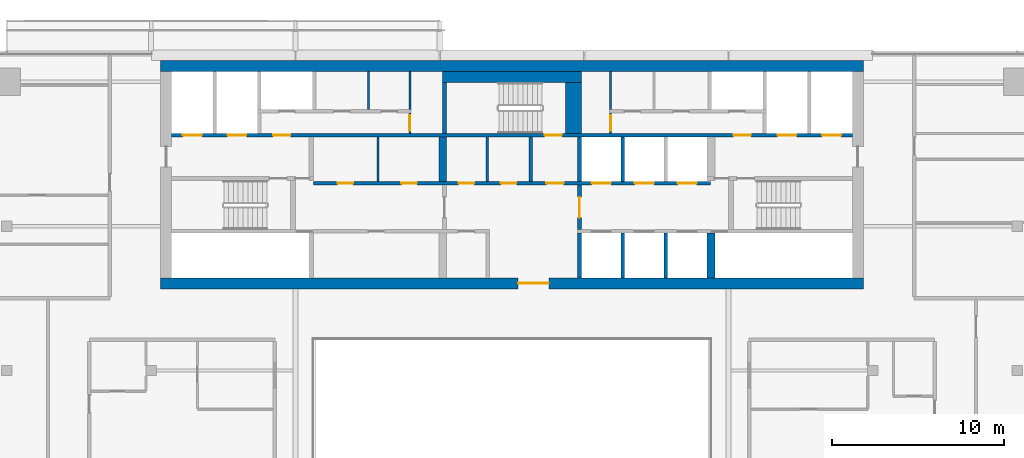
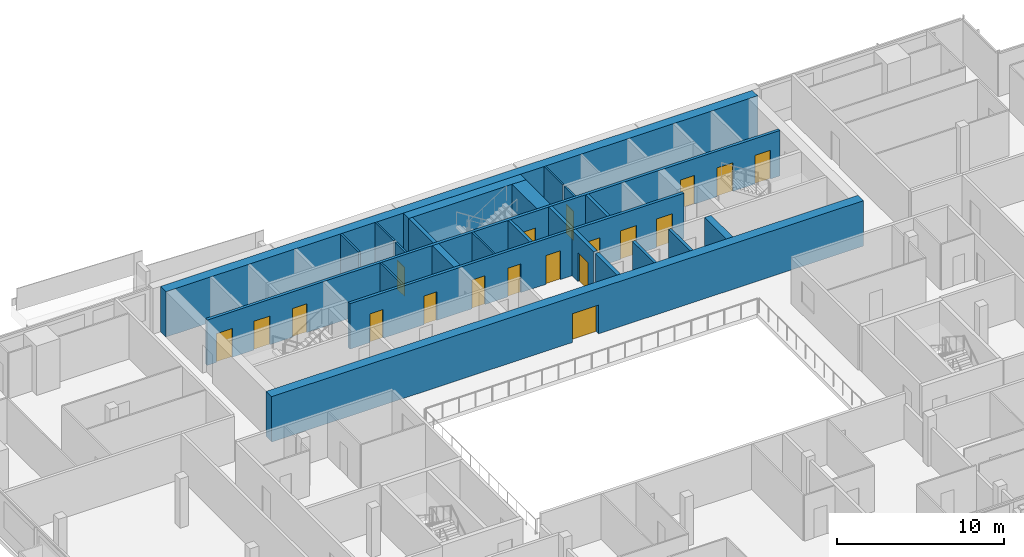
# One storey, part 21 of 27: 23 walls, 19 doors, 19 openings.
"""IFC4 building model written with IfcOpenShell, lengths in metres."""

from ifc_helpers import new_model, si_unit, direction, frame, frame_2d, origin, place, context, subcontext, project, spatial, rectangle, extrude, material, layer, layer_set, type_object, element, fill, save


model = new_model("IFC4")

# Units and contexts
model_context = context("Model", 3, precision=1e-05, world=origin(), true_north=direction((0.0, 1.0)))
body_context = subcontext(model_context, "Body", "Model", "MODEL_VIEW")
ifc_project = project(units=[si_unit("LENGTHUNIT", "METRE"), si_unit("AREAUNIT", "SQUARE_METRE"), si_unit("VOLUMEUNIT", "CUBIC_METRE"), si_unit("PLANEANGLEUNIT", "RADIAN"), si_unit("MASSUNIT", "GRAM", prefix="KILO")], contexts=[model_context])

# Site, building, storey
site_placement = place(None, origin())
site = spatial("IfcSite", under=ifc_project, at=site_placement, CompositionType="ELEMENT")
building_placement = place(site_placement, origin())
building = spatial("IfcBuilding", under=site, at=building_placement, Name="Saffron Gate Tower", CompositionType="ELEMENT")
storey_placement = place(building_placement, frame((0.0, 0.0, 212.699951171875)))
storey = spatial("IfcBuildingStorey", under=building, at=storey_placement, Name="L51", CompositionType="ELEMENT", Elevation=212.699951171875)

# Walls
ifc_material_1 = material(Name="Gypsum board partition on steel studs", Category="steel")
ifc_layer_1 = layer(ifc_material_1, 0.199951171875)
ifc_layer_set_1 = layer_set([ifc_layer_1], Name="CW10 Core partition 200")
wall_type_1 = type_object("IfcWallType", Name="CW10 Core partition 200", PredefinedType="PARTITIONING", material=ifc_layer_set_1)
wall_1_placement = place(storey_placement, frame((88.699951171875, 68.0, 0.0), z_axis=(0.0, 0.0, 1.0), x_axis=(0.0, 1.0, 0.0)))
element("IfcWall", 1, at=wall_1_placement, inside=storey, type_object=wall_type_1, Name="Wall CW10-L51-22", PredefinedType="PARTITIONING", context=body_context, shape_type="SweptSolid", body=[
    extrude(rectangle(XDim=2.60009765625, YDim=0.199951171875, at=frame_2d((1.300048828125, 0.0))), origin(), (0.0, 0.0, 1.0), 3.320068359375),
])
ifc_material_2 = material(Name="Concrete C60", Category="concrete")
ifc_layer_2 = layer(ifc_material_2, 0.25)
ifc_layer_set_2 = layer_set([ifc_layer_2], Name="CW14 RC core wall 250 C60")
wall_type_2 = type_object("IfcWallType", Name="CW14 RC core wall 250 C60", PredefinedType="SOLIDWALL", material=ifc_layer_set_2)
wall_2_placement = place(storey_placement, frame((91.52490234375, 62.39990234375, 0.0), z_axis=(0.0, 0.0, 1.0), x_axis=(0.0, 1.0, 0.0)))
element("IfcWall", 2, at=wall_2_placement, inside=storey, type_object=wall_type_2, Name="Wall CW14-L51-8", PredefinedType="SOLIDWALL", context=body_context, shape_type="SweptSolid", body=[
    extrude(rectangle(XDim=2.60009765625, YDim=0.25, at=frame_2d((1.300048828125, 0.0))), origin(), (0.0, 0.0, 1.0), 3.320068359375),
])

# Wall, opening, door
wall_3_placement = place(storey_placement, frame((91.52490234375, 65.199951171875, 0.0), z_axis=(0.0, 0.0, 1.0), x_axis=(0.0, 1.0, 0.0)))
wall_3 = element("IfcWall", 3, at=wall_3_placement, inside=storey, type_object=wall_type_2, Name="Wall CW14-L51-16", PredefinedType="SOLIDWALL", context=body_context, shape_type="SweptSolid", body=[
    extrude(rectangle(XDim=2.60009765625, YDim=0.25, at=frame_2d((1.300048828125, 0.0))), origin(), (0.0, 0.0, 1.0), 3.320068359375),
])
opening_1_placement = place(wall_3_placement, frame((0.699951171875, 0.0, 0.0)))
opening_1 = element("IfcOpeningElement", 4, at=opening_1_placement, cuts=wall_3, Name="Opening CR-01", PredefinedType="OPENING", context=body_context, shape_type="SweptSolid", body=[
    extrude(rectangle(XDim=1.199951171875, YDim=2.10009765625, at=frame_2d((0.60009765625, 1.050048828125))), frame((0.0, 0.135009765625, 0.0), z_axis=(0.0, -1.0, 0.0), x_axis=(1.0, 0.0, 0.0)), (0.0, 0.0, 1.0), 0.27001953125),
])
ifc_material_3 = material(Name="Steel fire door set", Category="steel")
door_type_1 = type_object("IfcDoorType", Name="CD3 Lobby door 1200x2100 EI 120", OperationType="NOTDEFINED", PredefinedType="DOOR", material=ifc_material_3)
door_1_placement = place(opening_1_placement, origin())
door_1 = element("IfcDoor", 5, at=door_1_placement, inside=storey, type_object=door_type_1, Name="DOOR CR-01", OperationType="SINGLE_SWING_RIGHT", OverallHeight=2.10009765625, OverallWidth=1.199951171875, PredefinedType="DOOR", context=body_context, shape_type="SweptSolid", body=[
    extrude(rectangle(XDim=1.199951171875, YDim=2.10009765625, at=frame_2d((0.60009765625, 1.050048828125))), frame((0.0, 0.02490234375, 0.0), z_axis=(0.0, -1.0, 0.0), x_axis=(1.0, 0.0, 0.0)), (0.0, 0.0, 1.0), 0.050048828125),
])
fill(opening_1, door_1)

# Walls
wall_4_placement = place(storey_placement, frame((91.52490234375, 68.0, 0.0), z_axis=(0.0, 0.0, 1.0), x_axis=(0.0, 1.0, 0.0)))
element("IfcWall", 6, at=wall_4_placement, inside=storey, type_object=wall_type_2, Name="Wall CW14-L51-23", PredefinedType="SOLIDWALL", context=body_context, shape_type="SweptSolid", body=[
    extrude(rectangle(XDim=2.60009765625, YDim=0.25, at=frame_2d((1.300048828125, 0.0))), origin(), (0.0, 0.0, 1.0), 3.320068359375),
])
wall_5_placement = place(storey_placement, frame((83.675048828125, 70.800048828125, 0.0), z_axis=(0.0, 0.0, 1.0), x_axis=(0.0, 1.0, 0.0)))
element("IfcWall", 7, at=wall_5_placement, inside=storey, type_object=wall_type_2, Name="Wall CW14-L51-35", PredefinedType="SOLIDWALL", context=body_context, shape_type="SweptSolid", body=[
    extrude(rectangle(XDim=2.949951171875, YDim=0.25, at=frame_2d((1.47509765625, 0.0))), origin(), (0.0, 0.0, 1.0), 3.320068359375),
])
ifc_layer_3 = layer(ifc_material_2, 0.199951171875)
ifc_layer_set_3 = layer_set([ifc_layer_3], Name="CW15 RC core wall 200 C60")
wall_type_3 = type_object("IfcWallType", Name="CW15 RC core wall 200 C60", PredefinedType="SOLIDWALL", material=ifc_layer_set_3)
for number, where, z_axis, x_axis, name in (
    (8, (94.050048828125, 62.39990234375, 0.0), (0.0, 0.0, 1.0), (0.0, 1.0, 0.0), "Wall CW15-L51-9"),
    (9, (96.550048828125, 62.39990234375, 0.0), (0.0, 0.0, 1.0), (0.0, 1.0, 0.0), "Wall CW15-L51-10"),
):
    element("IfcWall", number, at=place(storey_placement, frame(where, z_axis=z_axis, x_axis=x_axis)), inside=storey, type_object=wall_type_3, Name=name, PredefinedType="SOLIDWALL", context=body_context, shape_type="SweptSolid", body=[
        extrude(rectangle(XDim=2.60009765625, YDim=0.199951171875, at=frame_2d((1.300048828125, 0.0))), origin(), (0.0, 0.0, 1.0), 3.320068359375),
    ])

# Wall, openings, doors
wall_6_placement = place(storey_placement, frame((76.050048828125, 67.89990234375, 0.0), z_axis=(0.0, 0.0, 1.0), x_axis=(1.0, 0.0, 0.0)))
wall_6 = element("IfcWall", 10, at=wall_6_placement, inside=storey, type_object=wall_type_3, Name="Wall CW15-L51-18", PredefinedType="SOLIDWALL", context=body_context, shape_type="SweptSolid", body=[
    extrude(rectangle(XDim=23.099853515625, YDim=0.199951171875, at=frame_2d((11.5498046875, 0.0))), origin(), (0.0, 0.0, 1.0), 3.320068359375),
])
opening_2_placement = place(wall_6_placement, frame((1.39990234375, 0.0, 0.0)))
opening_2 = element("IfcOpeningElement", 11, at=opening_2_placement, cuts=wall_6, Name="Opening CR-61", PredefinedType="OPENING", context=body_context, shape_type="SweptSolid", body=[
    extrude(rectangle(XDim=0.89990234375, YDim=2.10009765625, at=frame_2d((0.449951171875, 1.050048828125))), frame((0.0, 0.10986328125, 0.0), z_axis=(0.0, -1.0, 0.0), x_axis=(1.0, 0.0, 0.0)), (0.0, 0.0, 1.0), 0.219970703125),
])
opening_3_placement = place(wall_6_placement, frame((5.110107421875, 0.0, 0.0)))
opening_3 = element("IfcOpeningElement", 12, at=opening_3_placement, cuts=wall_6, Name="Opening CR-62", PredefinedType="OPENING", context=body_context, shape_type="SweptSolid", body=[
    extrude(rectangle(XDim=0.89990234375, YDim=2.10009765625, at=frame_2d((0.449951171875, 1.050048828125))), frame((0.0, 0.10986328125, 0.0), z_axis=(0.0, -1.0, 0.0), x_axis=(1.0, 0.0, 0.0)), (0.0, 0.0, 1.0), 0.219970703125),
])
opening_4_placement = place(wall_6_placement, frame((8.449951171875, 0.0, 0.0)))
opening_4 = element("IfcOpeningElement", 13, at=opening_4_placement, cuts=wall_6, Name="Opening CR-67", PredefinedType="OPENING", context=body_context, shape_type="SweptSolid", body=[
    extrude(rectangle(XDim=0.89990234375, YDim=2.10009765625, at=frame_2d((0.449951171875, 1.050048828125))), frame((0.0, 0.10986328125, 0.0), z_axis=(0.0, -1.0, 0.0), x_axis=(1.0, 0.0, 0.0)), (0.0, 0.0, 1.0), 0.219970703125),
])
opening_5_placement = place(wall_6_placement, frame((10.909912109375, 0.0, 0.0)))
opening_5 = element("IfcOpeningElement", 14, at=opening_5_placement, cuts=wall_6, Name="Opening CR-68", PredefinedType="OPENING", context=body_context, shape_type="SweptSolid", body=[
    extrude(rectangle(XDim=0.89990234375, YDim=2.10009765625, at=frame_2d((0.449951171875, 1.050048828125))), frame((0.0, 0.10986328125, 0.0), z_axis=(0.0, -1.0, 0.0), x_axis=(1.0, 0.0, 0.0)), (0.0, 0.0, 1.0), 0.219970703125),
])
opening_6_placement = place(wall_6_placement, frame((13.550048828125, 0.0, 0.0)))
opening_6 = element("IfcOpeningElement", 15, at=opening_6_placement, cuts=wall_6, Name="Opening CR-02", PredefinedType="OPENING", context=body_context, shape_type="SweptSolid", body=[
    extrude(rectangle(XDim=1.0, YDim=2.10009765625, at=frame_2d((0.5, 1.050048828125))), frame((0.0, 0.10986328125, 0.0), z_axis=(0.0, -1.0, 0.0), x_axis=(1.0, 0.0, 0.0)), (0.0, 0.0, 1.0), 0.219970703125),
])
opening_7_placement = place(wall_6_placement, frame((16.199951171875, 0.0, 0.0)))
opening_7 = element("IfcOpeningElement", 16, at=opening_7_placement, cuts=wall_6, Name="Opening LD-HR4", PredefinedType="OPENING", context=body_context, shape_type="SweptSolid", body=[
    extrude(rectangle(XDim=1.10009765625, YDim=2.10009765625, at=frame_2d((0.550048828125, 1.050048828125))), frame((0.0, 0.10986328125, 0.0), z_axis=(0.0, -1.0, 0.0), x_axis=(1.0, 0.0, 0.0)), (0.0, 0.0, 1.0), 0.219970703125),
])
opening_8_placement = place(wall_6_placement, frame((18.699951171875, 0.0, 0.0)))
opening_8 = element("IfcOpeningElement", 17, at=opening_8_placement, cuts=wall_6, Name="Opening LD-HR5", PredefinedType="OPENING", context=body_context, shape_type="SweptSolid", body=[
    extrude(rectangle(XDim=1.10009765625, YDim=2.10009765625, at=frame_2d((0.550048828125, 1.050048828125))), frame((0.0, 0.10986328125, 0.0), z_axis=(0.0, -1.0, 0.0), x_axis=(1.0, 0.0, 0.0)), (0.0, 0.0, 1.0), 0.219970703125),
])
opening_9_placement = place(wall_6_placement, frame((21.199951171875, 0.0, 0.0)))
opening_9 = element("IfcOpeningElement", 18, at=opening_9_placement, cuts=wall_6, Name="Opening LD-HR6", PredefinedType="OPENING", context=body_context, shape_type="SweptSolid", body=[
    extrude(rectangle(XDim=1.10009765625, YDim=2.10009765625, at=frame_2d((0.550048828125, 1.050048828125))), frame((0.0, 0.10986328125, 0.0), z_axis=(0.0, -1.0, 0.0), x_axis=(1.0, 0.0, 0.0)), (0.0, 0.0, 1.0), 0.219970703125),
])
door_type_2 = type_object("IfcDoorType", Name="CD4 Lobby door 1000x2100 EI 120", OperationType="NOTDEFINED", PredefinedType="DOOR", material=ifc_material_3)
door_2_placement = place(opening_6_placement, origin())
door_2 = element("IfcDoor", 19, at=door_2_placement, inside=storey, type_object=door_type_2, Name="DOOR CR-02", OperationType="SINGLE_SWING_LEFT", OverallHeight=2.10009765625, OverallWidth=1.0, PredefinedType="DOOR", context=body_context, shape_type="SweptSolid", body=[
    extrude(rectangle(XDim=1.0, YDim=2.10009765625, at=frame_2d((0.5, 1.050048828125))), frame((0.0, 0.02490234375, 0.0), z_axis=(0.0, -1.0, 0.0), x_axis=(1.0, 0.0, 0.0)), (0.0, 0.0, 1.0), 0.050048828125),
])
fill(opening_6, door_2)
door_type_3 = type_object("IfcDoorType", Name="CD9 Room door 900x2100 EI 60", OperationType="NOTDEFINED", PredefinedType="DOOR", material=ifc_material_3)
door_3_placement = place(opening_2_placement, origin())
door_3 = element("IfcDoor", 20, at=door_3_placement, inside=storey, type_object=door_type_3, Name="DOOR CR-61", OperationType="SINGLE_SWING_LEFT", OverallHeight=2.10009765625, OverallWidth=0.89990234375, PredefinedType="DOOR", context=body_context, shape_type="SweptSolid", body=[
    extrude(rectangle(XDim=0.89990234375, YDim=2.10009765625, at=frame_2d((0.449951171875, 1.050048828125))), frame((0.0, 0.02490234375, 0.0), z_axis=(0.0, -1.0, 0.0), x_axis=(1.0, 0.0, 0.0)), (0.0, 0.0, 1.0), 0.050048828125),
])
fill(opening_2, door_3)
door_4_placement = place(opening_3_placement, origin())
door_4 = element("IfcDoor", 21, at=door_4_placement, inside=storey, type_object=door_type_3, Name="DOOR CR-62", OperationType="SINGLE_SWING_LEFT", OverallHeight=2.10009765625, OverallWidth=0.89990234375, PredefinedType="DOOR", context=body_context, shape_type="SweptSolid", body=[
    extrude(rectangle(XDim=0.89990234375, YDim=2.10009765625, at=frame_2d((0.449951171875, 1.050048828125))), frame((0.0, 0.02490234375, 0.0), z_axis=(0.0, -1.0, 0.0), x_axis=(1.0, 0.0, 0.0)), (0.0, 0.0, 1.0), 0.050048828125),
])
fill(opening_3, door_4)
door_5_placement = place(opening_4_placement, origin())
door_5 = element("IfcDoor", 22, at=door_5_placement, inside=storey, type_object=door_type_3, Name="DOOR CR-67", OperationType="SINGLE_SWING_LEFT", OverallHeight=2.10009765625, OverallWidth=0.89990234375, PredefinedType="DOOR", context=body_context, shape_type="SweptSolid", body=[
    extrude(rectangle(XDim=0.89990234375, YDim=2.10009765625, at=frame_2d((0.449951171875, 1.050048828125))), frame((0.0, 0.02490234375, 0.0), z_axis=(0.0, -1.0, 0.0), x_axis=(1.0, 0.0, 0.0)), (0.0, 0.0, 1.0), 0.050048828125),
])
fill(opening_4, door_5)
door_6_placement = place(opening_5_placement, origin())
door_6 = element("IfcDoor", 23, at=door_6_placement, inside=storey, type_object=door_type_3, Name="DOOR CR-68", OperationType="SINGLE_SWING_LEFT", OverallHeight=2.10009765625, OverallWidth=0.89990234375, PredefinedType="DOOR", context=body_context, shape_type="SweptSolid", body=[
    extrude(rectangle(XDim=0.89990234375, YDim=2.10009765625, at=frame_2d((0.449951171875, 1.050048828125))), frame((0.0, 0.02490234375, 0.0), z_axis=(0.0, -1.0, 0.0), x_axis=(1.0, 0.0, 0.0)), (0.0, 0.0, 1.0), 0.050048828125),
])
fill(opening_5, door_6)
ifc_material_4 = material(Name="Stainless steel landing door", Category="steel")
door_type_4 = type_object("IfcDoorType", Name="LD Lift landing door 1100x2100 EI 120", OperationType="SLIDING_TO_LEFT", PredefinedType="DOOR", material=ifc_material_4)
door_7_placement = place(opening_7_placement, origin())
door_7 = element("IfcDoor", 24, at=door_7_placement, inside=storey, type_object=door_type_4, Name="LANDING DOOR LD-HR4", OperationType="SLIDING_TO_RIGHT", OverallHeight=2.10009765625, OverallWidth=1.10009765625, PredefinedType="DOOR", context=body_context, shape_type="SweptSolid", body=[
    extrude(rectangle(XDim=1.10009765625, YDim=2.10009765625, at=frame_2d((0.550048828125, 1.050048828125))), frame((0.0, 0.02490234375, 0.0), z_axis=(0.0, -1.0, 0.0), x_axis=(1.0, 0.0, 0.0)), (0.0, 0.0, 1.0), 0.050048828125),
])
fill(opening_7, door_7)
door_8_placement = place(opening_8_placement, origin())
door_8 = element("IfcDoor", 25, at=door_8_placement, inside=storey, type_object=door_type_4, Name="LANDING DOOR LD-HR5", OperationType="SLIDING_TO_RIGHT", OverallHeight=2.10009765625, OverallWidth=1.10009765625, PredefinedType="DOOR", context=body_context, shape_type="SweptSolid", body=[
    extrude(rectangle(XDim=1.10009765625, YDim=2.10009765625, at=frame_2d((0.550048828125, 1.050048828125))), frame((0.0, 0.02490234375, 0.0), z_axis=(0.0, -1.0, 0.0), x_axis=(1.0, 0.0, 0.0)), (0.0, 0.0, 1.0), 0.050048828125),
])
fill(opening_8, door_8)
door_9_placement = place(opening_9_placement, origin())
door_9 = element("IfcDoor", 26, at=door_9_placement, inside=storey, type_object=door_type_4, Name="LANDING DOOR LD-HR6", OperationType="SLIDING_TO_RIGHT", OverallHeight=2.10009765625, OverallWidth=1.10009765625, PredefinedType="DOOR", context=body_context, shape_type="SweptSolid", body=[
    extrude(rectangle(XDim=1.10009765625, YDim=2.10009765625, at=frame_2d((0.550048828125, 1.050048828125))), frame((0.0, 0.02490234375, 0.0), z_axis=(0.0, -1.0, 0.0), x_axis=(1.0, 0.0, 0.0)), (0.0, 0.0, 1.0), 0.050048828125),
])
fill(opening_9, door_9)

# Wall
wall_7_placement = place(storey_placement, frame((94.050048828125, 68.0, 0.0), z_axis=(0.0, 0.0, 1.0), x_axis=(0.0, 1.0, 0.0)))
element("IfcWall", 27, at=wall_7_placement, inside=storey, type_object=wall_type_3, Name="Wall CW15-L51-24", PredefinedType="SOLIDWALL", context=body_context, shape_type="SweptSolid", body=[
    extrude(rectangle(XDim=2.60009765625, YDim=0.199951171875, at=frame_2d((1.300048828125, 0.0))), origin(), (0.0, 0.0, 1.0), 3.320068359375),
])

# Wall, openings, doors
wall_8_placement = place(storey_placement, frame((67.800048828125, 70.699951171875, 0.0), z_axis=(0.0, 0.0, 1.0), x_axis=(1.0, 0.0, 0.0)))
wall_8 = element("IfcWall", 28, at=wall_8_placement, inside=storey, type_object=wall_type_3, Name="Wall CW15-L51-31", PredefinedType="SOLIDWALL", context=body_context, shape_type="SweptSolid", body=[
    extrude(rectangle(XDim=39.599853515625, YDim=0.199951171875, at=frame_2d((19.7998046875, 0.0))), origin(), (0.0, 0.0, 1.0), 3.320068359375),
])
opening_10_placement = place(wall_8_placement, frame((0.64990234375, 0.0, 0.0)))
opening_10 = element("IfcOpeningElement", 29, at=opening_10_placement, cuts=wall_8, Name="Opening LD-FF1", PredefinedType="OPENING", context=body_context, shape_type="SweptSolid", body=[
    extrude(rectangle(XDim=1.10009765625, YDim=2.10009765625, at=frame_2d((0.550048828125, 1.050048828125))), frame((0.0, 0.10986328125, 0.0), z_axis=(0.0, -1.0, 0.0), x_axis=(1.0, 0.0, 0.0)), (0.0, 0.0, 1.0), 0.219970703125),
])
opening_11_placement = place(wall_8_placement, frame((3.25, 0.0, 0.0)))
opening_11 = element("IfcOpeningElement", 30, at=opening_11_placement, cuts=wall_8, Name="Opening LD-SV1", PredefinedType="OPENING", context=body_context, shape_type="SweptSolid", body=[
    extrude(rectangle(XDim=1.10009765625, YDim=2.10009765625, at=frame_2d((0.550048828125, 1.050048828125))), frame((0.0, 0.10986328125, 0.0), z_axis=(0.0, -1.0, 0.0), x_axis=(1.0, 0.0, 0.0)), (0.0, 0.0, 1.0), 0.219970703125),
])
opening_12_placement = place(wall_8_placement, frame((5.89990234375, 0.0, 0.0)))
opening_12 = element("IfcOpeningElement", 31, at=opening_12_placement, cuts=wall_8, Name="Opening CR-03", PredefinedType="OPENING", context=body_context, shape_type="SweptSolid", body=[
    extrude(rectangle(XDim=1.0, YDim=2.10009765625, at=frame_2d((0.5, 1.050048828125))), frame((0.0, 0.10986328125, 0.0), z_axis=(0.0, -1.0, 0.0), x_axis=(1.0, 0.0, 0.0)), (0.0, 0.0, 1.0), 0.219970703125),
])
opening_13_placement = place(wall_8_placement, frame((21.699951171875, 0.0, 0.0)))
opening_13 = element("IfcOpeningElement", 32, at=opening_13_placement, cuts=wall_8, Name="Opening CR-17", PredefinedType="OPENING", context=body_context, shape_type="SweptSolid", body=[
    extrude(rectangle(XDim=1.0, YDim=2.10009765625, at=frame_2d((0.5, 1.050048828125))), frame((0.0, 0.10986328125, 0.0), z_axis=(0.0, -1.0, 0.0), x_axis=(1.0, 0.0, 0.0)), (0.0, 0.0, 1.0), 0.219970703125),
])
opening_14_placement = place(wall_8_placement, frame((32.699951171875, 0.0, 0.0)))
opening_14 = element("IfcOpeningElement", 33, at=opening_14_placement, cuts=wall_8, Name="Opening CR-04", PredefinedType="OPENING", context=body_context, shape_type="SweptSolid", body=[
    extrude(rectangle(XDim=1.0, YDim=2.10009765625, at=frame_2d((0.5, 1.050048828125))), frame((0.0, 0.10986328125, 0.0), z_axis=(0.0, -1.0, 0.0), x_axis=(1.0, 0.0, 0.0)), (0.0, 0.0, 1.0), 0.219970703125),
])
opening_15_placement = place(wall_8_placement, frame((35.25, 0.0, 0.0)))
opening_15 = element("IfcOpeningElement", 34, at=opening_15_placement, cuts=wall_8, Name="Opening LD-SV2", PredefinedType="OPENING", context=body_context, shape_type="SweptSolid", body=[
    extrude(rectangle(XDim=1.10009765625, YDim=2.10009765625, at=frame_2d((0.550048828125, 1.050048828125))), frame((0.0, 0.10986328125, 0.0), z_axis=(0.0, -1.0, 0.0), x_axis=(1.0, 0.0, 0.0)), (0.0, 0.0, 1.0), 0.219970703125),
])
opening_16_placement = place(wall_8_placement, frame((37.85009765625, 0.0, 0.0)))
opening_16 = element("IfcOpeningElement", 35, at=opening_16_placement, cuts=wall_8, Name="Opening LD-FF2", PredefinedType="OPENING", context=body_context, shape_type="SweptSolid", body=[
    extrude(rectangle(XDim=1.10009765625, YDim=2.10009765625, at=frame_2d((0.550048828125, 1.050048828125))), frame((0.0, 0.10986328125, 0.0), z_axis=(0.0, -1.0, 0.0), x_axis=(1.0, 0.0, 0.0)), (0.0, 0.0, 1.0), 0.219970703125),
])
door_10_placement = place(opening_12_placement, origin())
door_10 = element("IfcDoor", 36, at=door_10_placement, inside=storey, type_object=door_type_2, Name="DOOR CR-03", OperationType="SINGLE_SWING_LEFT", OverallHeight=2.10009765625, OverallWidth=1.0, PredefinedType="DOOR", context=body_context, shape_type="SweptSolid", body=[
    extrude(rectangle(XDim=1.0, YDim=2.10009765625, at=frame_2d((0.5, 1.050048828125))), frame((0.0, 0.02490234375, 0.0), z_axis=(0.0, -1.0, 0.0), x_axis=(1.0, 0.0, 0.0)), (0.0, 0.0, 1.0), 0.050048828125),
])
fill(opening_12, door_10)
door_11_placement = place(opening_14_placement, origin())
door_11 = element("IfcDoor", 37, at=door_11_placement, inside=storey, type_object=door_type_2, Name="DOOR CR-04", OperationType="SINGLE_SWING_RIGHT", OverallHeight=2.10009765625, OverallWidth=1.0, PredefinedType="DOOR", context=body_context, shape_type="SweptSolid", body=[
    extrude(rectangle(XDim=1.0, YDim=2.10009765625, at=frame_2d((0.5, 1.050048828125))), frame((0.0, 0.02490234375, 0.0), z_axis=(0.0, -1.0, 0.0), x_axis=(1.0, 0.0, 0.0)), (0.0, 0.0, 1.0), 0.050048828125),
])
fill(opening_14, door_11)
door_type_5 = type_object("IfcDoorType", Name="CD5 Stair door 1000x2100 EI 120", OperationType="NOTDEFINED", PredefinedType="DOOR", material=ifc_material_3)
door_12_placement = place(opening_13_placement, origin())
door_12 = element("IfcDoor", 38, at=door_12_placement, inside=storey, type_object=door_type_5, Name="DOOR CR-17", OperationType="SINGLE_SWING_RIGHT", OverallHeight=2.10009765625, OverallWidth=1.0, PredefinedType="DOOR", context=body_context, shape_type="SweptSolid", body=[
    extrude(rectangle(XDim=1.0, YDim=2.10009765625, at=frame_2d((0.5, 1.050048828125))), frame((0.0, 0.02490234375, 0.0), z_axis=(0.0, -1.0, 0.0), x_axis=(1.0, 0.0, 0.0)), (0.0, 0.0, 1.0), 0.050048828125),
])
fill(opening_13, door_12)
door_13_placement = place(opening_10_placement, origin())
door_13 = element("IfcDoor", 39, at=door_13_placement, inside=storey, type_object=door_type_4, Name="LANDING DOOR LD-FF1", OperationType="SLIDING_TO_RIGHT", OverallHeight=2.10009765625, OverallWidth=1.10009765625, PredefinedType="DOOR", context=body_context, shape_type="SweptSolid", body=[
    extrude(rectangle(XDim=1.10009765625, YDim=2.10009765625, at=frame_2d((0.550048828125, 1.050048828125))), frame((0.0, 0.02490234375, 0.0), z_axis=(0.0, -1.0, 0.0), x_axis=(1.0, 0.0, 0.0)), (0.0, 0.0, 1.0), 0.050048828125),
])
fill(opening_10, door_13)
door_14_placement = place(opening_11_placement, origin())
door_14 = element("IfcDoor", 40, at=door_14_placement, inside=storey, type_object=door_type_4, Name="LANDING DOOR LD-SV1", OperationType="SLIDING_TO_RIGHT", OverallHeight=2.10009765625, OverallWidth=1.10009765625, PredefinedType="DOOR", context=body_context, shape_type="SweptSolid", body=[
    extrude(rectangle(XDim=1.10009765625, YDim=2.10009765625, at=frame_2d((0.550048828125, 1.050048828125))), frame((0.0, 0.02490234375, 0.0), z_axis=(0.0, -1.0, 0.0), x_axis=(1.0, 0.0, 0.0)), (0.0, 0.0, 1.0), 0.050048828125),
])
fill(opening_11, door_14)
door_15_placement = place(opening_15_placement, origin())
door_15 = element("IfcDoor", 41, at=door_15_placement, inside=storey, type_object=door_type_4, Name="LANDING DOOR LD-SV2", OperationType="SLIDING_TO_RIGHT", OverallHeight=2.10009765625, OverallWidth=1.10009765625, PredefinedType="DOOR", context=body_context, shape_type="SweptSolid", body=[
    extrude(rectangle(XDim=1.10009765625, YDim=2.10009765625, at=frame_2d((0.550048828125, 1.050048828125))), frame((0.0, 0.02490234375, 0.0), z_axis=(0.0, -1.0, 0.0), x_axis=(1.0, 0.0, 0.0)), (0.0, 0.0, 1.0), 0.050048828125),
])
fill(opening_15, door_15)
door_16_placement = place(opening_16_placement, origin())
door_16 = element("IfcDoor", 42, at=door_16_placement, inside=storey, type_object=door_type_4, Name="LANDING DOOR LD-FF2", OperationType="SLIDING_TO_RIGHT", OverallHeight=2.10009765625, OverallWidth=1.10009765625, PredefinedType="DOOR", context=body_context, shape_type="SweptSolid", body=[
    extrude(rectangle(XDim=1.10009765625, YDim=2.10009765625, at=frame_2d((0.550048828125, 1.050048828125))), frame((0.0, 0.02490234375, 0.0), z_axis=(0.0, -1.0, 0.0), x_axis=(1.0, 0.0, 0.0)), (0.0, 0.0, 1.0), 0.050048828125),
])
fill(opening_16, door_16)

# Walls
ifc_layer_4 = layer(ifc_material_2, 0.449951171875)
ifc_layer_set_4 = layer_set([ifc_layer_4], Name="CW16 RC core wall 450 C60")
wall_type_4 = type_object("IfcWallType", Name="CW16 RC core wall 450 C60", PredefinedType="SOLIDWALL", material=ifc_layer_set_4)
for number, where, z_axis, x_axis, name in (
    (43, (99.175048828125, 62.39990234375, 0.0), (0.0, 0.0, 1.0), (0.0, 1.0, 0.0), "Wall CW16-L51-11"),
    (44, (83.574951171875, 68.0, 0.0), (0.0, 0.0, 1.0), (0.0, 1.0, 0.0), "Wall CW16-L51-20"),
):
    element("IfcWall", number, at=place(storey_placement, frame(where, z_axis=z_axis, x_axis=x_axis)), inside=storey, type_object=wall_type_4, Name=name, PredefinedType="SOLIDWALL", context=body_context, shape_type="SweptSolid", body=[
        extrude(rectangle(XDim=2.60009765625, YDim=0.449951171875, at=frame_2d((1.300048828125, 0.0))), origin(), (0.0, 0.0, 1.0), 3.320068359375),
    ])
ifc_layer_5 = layer(ifc_material_2, 0.949951171875)
ifc_layer_set_5 = layer_set([ifc_layer_5], Name="CW19 RC core wall 950 C60")
wall_type_5 = type_object("IfcWallType", Name="CW19 RC core wall 950 C60", PredefinedType="SOLIDWALL", material=ifc_layer_set_5)
wall_9_placement = place(storey_placement, frame((91.175048828125, 70.800048828125, 0.0), z_axis=(0.0, 0.0, 1.0), x_axis=(0.0, 1.0, 0.0)))
element("IfcWall", 45, at=wall_9_placement, inside=storey, type_object=wall_type_5, Name="Wall CW19-L51-36", PredefinedType="SOLIDWALL", context=body_context, shape_type="SweptSolid", body=[
    extrude(rectangle(XDim=2.949951171875, YDim=0.949951171875, at=frame_2d((1.47509765625, 0.0))), origin(), (0.0, 0.0, 1.0), 3.320068359375),
])

# Wall, opening, door
ifc_layer_6 = layer(ifc_material_2, 0.64990234375)
ifc_layer_set_6 = layer_set([ifc_layer_6], Name="CW20 RC core wall 650 C60")
wall_type_6 = type_object("IfcWallType", Name="CW20 RC core wall 650 C60", PredefinedType="SOLIDWALL", material=ifc_layer_set_6)
wall_10_placement = place(storey_placement, frame((67.14990234375, 62.074951171875, 0.0), z_axis=(0.0, 0.0, 1.0), x_axis=(1.0, 0.0, 0.0)))
wall_10 = element("IfcWall", 46, at=wall_10_placement, inside=storey, type_object=wall_type_6, Name="Wall CW20-L51-1", PredefinedType="SOLIDWALL", context=body_context, shape_type="SweptSolid", body=[
    extrude(rectangle(XDim=40.900146484375, YDim=0.64990234375, at=frame_2d((20.4501953125, 0.0))), origin(), (0.0, 0.0, 1.0), 3.320068359375),
])
opening_17_placement = place(wall_10_placement, frame((20.800048828125, 0.0, 0.0)))
opening_17 = element("IfcOpeningElement", 47, at=opening_17_placement, cuts=wall_10, Name="Opening CR-09", PredefinedType="OPENING", context=body_context, shape_type="SweptSolid", body=[
    extrude(rectangle(XDim=1.800048828125, YDim=2.10009765625, at=frame_2d((0.89990234375, 1.050048828125))), frame((0.0, 0.3349609375, 0.0), z_axis=(0.0, -1.0, 0.0), x_axis=(1.0, 0.0, 0.0)), (0.0, 0.0, 1.0), 0.669921875),
])
door_type_6 = type_object("IfcDoorType", Name="CD1 Core entrance door 1800x2100 EI 120", OperationType="NOTDEFINED", PredefinedType="DOOR", material=ifc_material_3)
door_17_placement = place(opening_17_placement, origin())
door_17 = element("IfcDoor", 48, at=door_17_placement, inside=storey, type_object=door_type_6, Name="DOOR CR-09", OperationType="DOUBLE_DOOR_SINGLE_SWING", OverallHeight=2.10009765625, OverallWidth=1.800048828125, PredefinedType="DOOR", context=body_context, shape_type="SweptSolid", body=[
    extrude(rectangle(XDim=1.800048828125, YDim=2.10009765625, at=frame_2d((0.89990234375, 1.050048828125))), frame((0.0, 0.02490234375, 0.0), z_axis=(0.0, -1.0, 0.0), x_axis=(1.0, 0.0, 0.0)), (0.0, 0.0, 1.0), 0.050048828125),
])
fill(opening_17, door_17)

# Walls
wall_11_placement = place(storey_placement, frame((67.14990234375, 74.72509765625, 0.0), z_axis=(0.0, 0.0, 1.0), x_axis=(1.0, 0.0, 0.0)))
element("IfcWall", 49, at=wall_11_placement, inside=storey, type_object=wall_type_6, Name="Wall CW20-L51-2", PredefinedType="SOLIDWALL", context=body_context, shape_type="SweptSolid", body=[
    extrude(rectangle(XDim=40.900146484375, YDim=0.64990234375, at=frame_2d((20.4501953125, 0.0))), origin(), (0.0, 0.0, 1.0), 3.320068359375),
])
wall_12_placement = place(storey_placement, frame((83.550048828125, 74.074951171875, 0.0), z_axis=(0.0, 0.0, 1.0), x_axis=(1.0, 0.0, 0.0)))
element("IfcWall", 50, at=wall_12_placement, inside=storey, type_object=wall_type_6, Name="Wall CW20-L51-50", PredefinedType="SOLIDWALL", context=body_context, shape_type="SweptSolid", body=[
    extrude(rectangle(XDim=8.099853515625, YDim=0.64990234375, at=frame_2d((4.0498046875, 0.0))), origin(), (0.0, 0.0, 1.0), 3.320068359375),
])
ifc_layer_7 = layer(ifc_material_1, 0.1201171875)
ifc_layer_set_7 = layer_set([ifc_layer_7], Name="CW8 Core partition 120")
wall_type_7 = type_object("IfcWallType", Name="CW8 Core partition 120", PredefinedType="PARTITIONING", material=ifc_layer_set_7)
for number, where, z_axis, x_axis, name in (
    (51, (79.81005859375, 68.0, 0.0), (0.0, 0.0, 1.0), (0.0, 1.0, 0.0), "Wall CW8-L51-19"),
    (52, (86.159912109375, 68.0, 0.0), (0.0, 0.0, 1.0), (0.0, 1.0, 0.0), "Wall CW8-L51-21"),
):
    element("IfcWall", number, at=place(storey_placement, frame(where, z_axis=z_axis, x_axis=x_axis)), inside=storey, type_object=wall_type_7, Name=name, PredefinedType="PARTITIONING", context=body_context, shape_type="SweptSolid", body=[
        extrude(rectangle(XDim=2.60009765625, YDim=0.1201171875, at=frame_2d((1.300048828125, 0.0))), origin(), (0.0, 0.0, 1.0), 3.320068359375),
    ])

# Wall, opening, door
wall_13_placement = place(storey_placement, frame((81.659912109375, 70.800048828125, 0.0), z_axis=(0.0, 0.0, 1.0), x_axis=(0.0, 1.0, 0.0)))
wall_13 = element("IfcWall", 53, at=wall_13_placement, inside=storey, type_object=wall_type_7, Name="Wall CW8-L51-34", PredefinedType="PARTITIONING", context=body_context, shape_type="SweptSolid", body=[
    extrude(rectangle(XDim=1.199951171875, YDim=0.1201171875, at=frame_2d((0.60009765625, 0.0))), origin(), (0.0, 0.0, 1.0), 3.320068359375),
])
opening_18_placement = place(wall_13_placement, frame((0.14990234375, 0.0, 0.0)))
opening_18 = element("IfcOpeningElement", 54, at=opening_18_placement, cuts=wall_13, Name="Opening CR-60", PredefinedType="OPENING", context=body_context, shape_type="SweptSolid", body=[
    extrude(rectangle(XDim=0.89990234375, YDim=2.10009765625, at=frame_2d((0.449951171875, 1.050048828125))), frame((0.0, 0.070068359375, 0.0), z_axis=(0.0, -1.0, 0.0), x_axis=(1.0, 0.0, 0.0)), (0.0, 0.0, 1.0), 0.14013671875),
])
door_18_placement = place(opening_18_placement, origin())
door_18 = element("IfcDoor", 55, at=door_18_placement, inside=storey, type_object=door_type_3, Name="DOOR CR-60", OperationType="SINGLE_SWING_RIGHT", OverallHeight=2.10009765625, OverallWidth=0.89990234375, PredefinedType="DOOR", context=body_context, shape_type="SweptSolid", body=[
    extrude(rectangle(XDim=0.89990234375, YDim=2.10009765625, at=frame_2d((0.449951171875, 1.050048828125))), frame((0.0, 0.02490234375, 0.0), z_axis=(0.0, -1.0, 0.0), x_axis=(1.0, 0.0, 0.0)), (0.0, 0.0, 1.0), 0.050048828125),
])
fill(opening_18, door_18)

wall_14_placement = place(storey_placement, frame((93.340087890625, 70.800048828125, 0.0), z_axis=(0.0, 0.0, 1.0), x_axis=(0.0, 1.0, 0.0)))
wall_14 = element("IfcWall", 56, at=wall_14_placement, inside=storey, type_object=wall_type_7, Name="Wall CW8-L51-37", PredefinedType="PARTITIONING", context=body_context, shape_type="SweptSolid", body=[
    extrude(rectangle(XDim=1.199951171875, YDim=0.1201171875, at=frame_2d((0.60009765625, 0.0))), origin(), (0.0, 0.0, 1.0), 3.320068359375),
])
opening_19_placement = place(wall_14_placement, frame((0.14990234375, 0.0, 0.0)))
opening_19 = element("IfcOpeningElement", 57, at=opening_19_placement, cuts=wall_14, Name="Opening CR-54", PredefinedType="OPENING", context=body_context, shape_type="SweptSolid", body=[
    extrude(rectangle(XDim=0.89990234375, YDim=2.10009765625, at=frame_2d((0.449951171875, 1.050048828125))), frame((0.0, 0.070068359375, 0.0), z_axis=(0.0, -1.0, 0.0), x_axis=(1.0, 0.0, 0.0)), (0.0, 0.0, 1.0), 0.14013671875),
])
door_19_placement = place(opening_19_placement, origin())
door_19 = element("IfcDoor", 58, at=door_19_placement, inside=storey, type_object=door_type_3, Name="DOOR CR-54", OperationType="SINGLE_SWING_LEFT", OverallHeight=2.10009765625, OverallWidth=0.89990234375, PredefinedType="DOOR", context=body_context, shape_type="SweptSolid", body=[
    extrude(rectangle(XDim=0.89990234375, YDim=2.10009765625, at=frame_2d((0.449951171875, 1.050048828125))), frame((0.0, 0.02490234375, 0.0), z_axis=(0.0, -1.0, 0.0), x_axis=(1.0, 0.0, 0.0)), (0.0, 0.0, 1.0), 0.050048828125),
])
fill(opening_19, door_19)

# Walls
for number, where, z_axis, x_axis, name in (
    (59, (79.260009765625, 72.199951171875, 0.0), (0.0, 0.0, 1.0), (0.0, 1.0, 0.0), "Wall CW8-L51-44"),
    (60, (81.659912109375, 72.199951171875, 0.0), (0.0, 0.0, 1.0), (0.0, 1.0, 0.0), "Wall CW8-L51-45"),
    (61, (93.340087890625, 72.199951171875, 0.0), (0.0, 0.0, 1.0), (0.0, 1.0, 0.0), "Wall CW8-L51-46"),
):
    element("IfcWall", number, at=place(storey_placement, frame(where, z_axis=z_axis, x_axis=x_axis)), inside=storey, type_object=wall_type_7, Name=name, PredefinedType="PARTITIONING", context=body_context, shape_type="SweptSolid", body=[
        extrude(rectangle(XDim=2.199951171875, YDim=0.1201171875, at=frame_2d((1.10009765625, 0.0))), origin(), (0.0, 0.0, 1.0), 3.320068359375),
    ])

save(model, "model.ifc")
